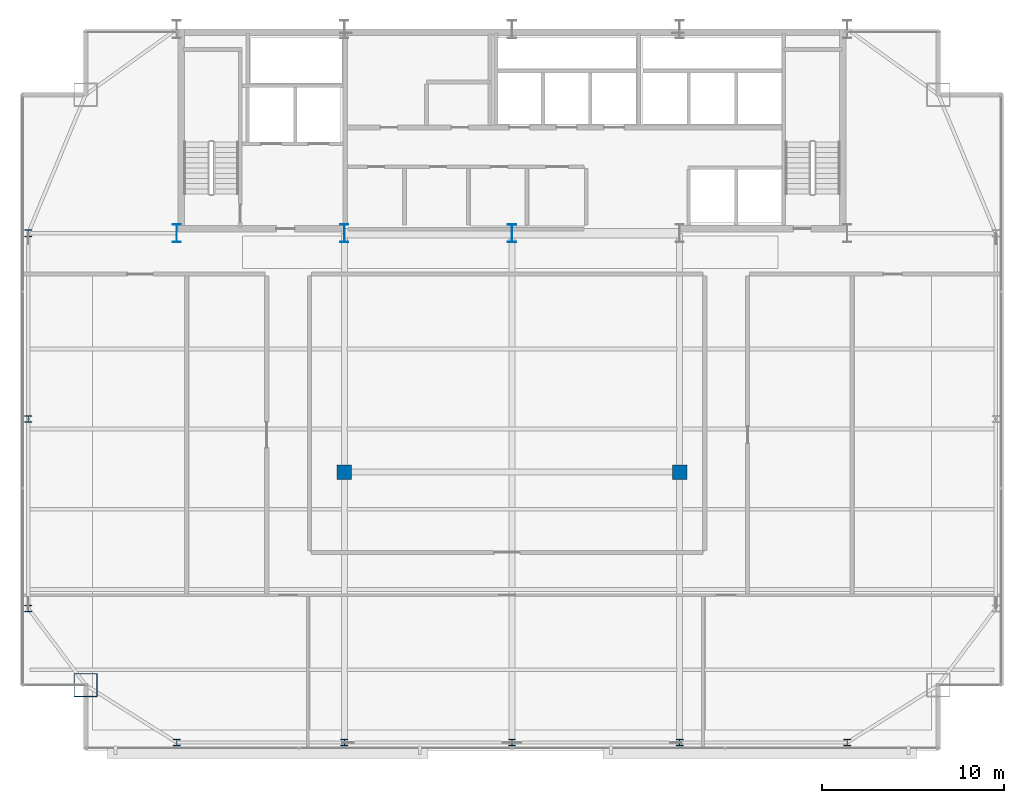
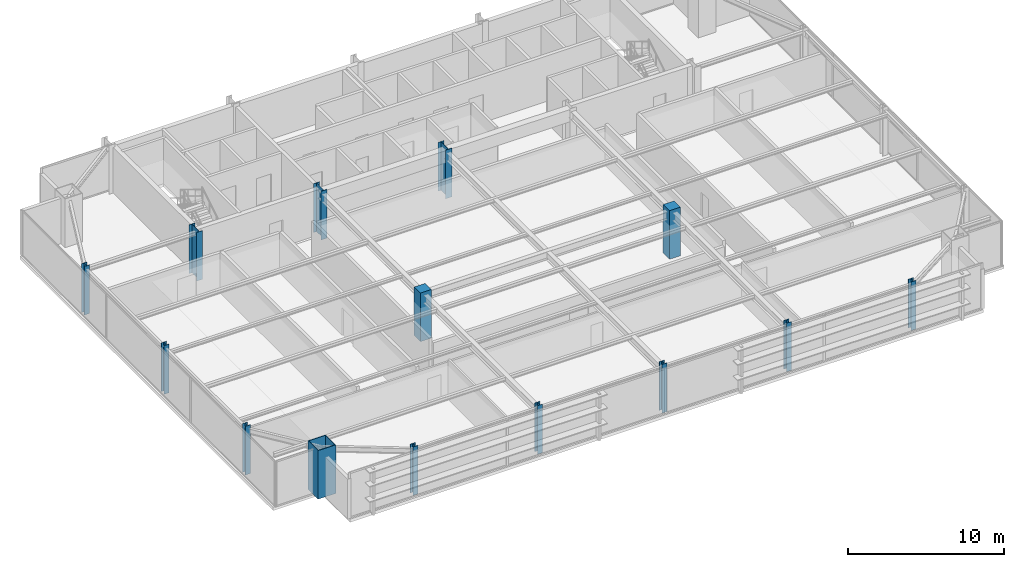
# One storey, part 1 of 29: 14 columns.
"""IFC4 building model written with IfcOpenShell, lengths in metres."""

from ifc_helpers import new_model, si_unit, direction, frame, origin, origin_2d, place, context, subcontext, project, spatial, rectangle, hollow_rectangle, i_section, extrude, source, transform, mapped, material, material_profile, profile_set, type_object, type_shapes, element, save


model = new_model("IFC4")

# Units and contexts
model_context = context("Model", 3, precision=1e-05, world=origin(), true_north=direction((0.0, 1.0)))
body_context = subcontext(model_context, "Body", "Model", "MODEL_VIEW")
ifc_project = project(units=[si_unit("LENGTHUNIT", "METRE"), si_unit("AREAUNIT", "SQUARE_METRE"), si_unit("VOLUMEUNIT", "CUBIC_METRE"), si_unit("PLANEANGLEUNIT", "RADIAN"), si_unit("MASSUNIT", "GRAM", prefix="KILO")], contexts=[model_context])

# Site, building, storey
site_placement = place(None, origin())
site = spatial("IfcSite", under=ifc_project, at=site_placement, CompositionType="ELEMENT")
building_placement = place(site_placement, origin())
building = spatial("IfcBuilding", under=site, at=building_placement, Name="Varnel Quay Broadcast Tower", CompositionType="ELEMENT")
storey_placement = place(building_placement, frame((0.0, 0.0, 172.39990234375)))
storey = spatial("IfcBuildingStorey", under=building, at=storey_placement, Name="L42", CompositionType="ELEMENT", Elevation=172.39990234375)

# Columns
ifc_material_1 = material(Name="Structural Steel CSA G40.21 350WT", Category="steel")
ifc_material_profile_1 = material_profile(ifc_material_1, i_section(OverallWidth=0.449951171875, OverallDepth=1.0, WebThickness=0.01611328125, FlangeThickness=0.030029296875, FilletRadius=0.01611328125, at=origin_2d()), Name="WWF1000X362")
ifc_profile_set_1 = profile_set([ifc_material_profile_1], Name="Structural Steel CSA G40.21 350WT")
column_type_1 = type_object("IfcColumnType", Name="Col_WWF1000X362", PredefinedType="COLUMN", material=ifc_profile_set_1)
shared_shape_1 = source(origin(), body_context, "Body", "SweptSolid", [
    extrude(i_section(OverallWidth=0.449951171875, OverallDepth=1.0, WebThickness=0.01611328125, FlangeThickness=0.030029296875, FilletRadius=0.01611328125, at=origin_2d()), origin(), (0.0, 0.0, 1.0), 3.800048828125),
])
type_shapes(column_type_1, [shared_shape_1])
for number, where, z_axis, x_axis, name in (
    (1, (15.60009765625, 35.60009765625, 0.0), (0.0, 0.0, 1.0), (1.0, 0.0, 0.0), "L42 Column CC-S1"),
    (2, (24.800048828125, 35.60009765625, 0.0), (0.0, 0.0, 1.0), (1.0, 0.0, 0.0), "L42 Column CC-S2"),
    (3, (34.0, 35.60009765625, 0.0), (0.0, 0.0, 1.0), (1.0, 0.0, 0.0), "L42 Column CC-S3"),
):
    element("IfcColumn", number, at=place(storey_placement, frame(where, z_axis=z_axis, x_axis=x_axis)), inside=storey, type_object=column_type_1, Name=name, PredefinedType="COLUMN", context=body_context, shape_type="MappedRepresentation", body=[
        mapped(shared_shape_1, transform((0.0, 0.0, 0.0), x_axis=(1.0, 0.0, 0.0), y_axis=(0.0, 1.0, 0.0), z_axis=(0.0, 0.0, 1.0), scale=1.0)),
    ])
ifc_material_profile_2 = material_profile(ifc_material_1, hollow_rectangle(XDim=1.300048828125, YDim=1.300048828125, WallThickness=0.050048828125, at=origin_2d()), Name="BOX1300X1300X50")
ifc_profile_set_2 = profile_set([ifc_material_profile_2], Name="Structural Steel CSA G40.21 350WT")
column_type_2 = type_object("IfcColumnType", Name="Col_BOX1300X1300X50", PredefinedType="COLUMN", material=ifc_profile_set_2)
shared_shape_2 = source(origin(), body_context, "Body", "SweptSolid", [
    extrude(hollow_rectangle(XDim=1.300048828125, YDim=1.300048828125, WallThickness=0.050048828125, at=origin_2d()), origin(), (0.0, 0.0, 1.0), 3.800048828125),
])
type_shapes(column_type_2, [shared_shape_2])
column_placement = place(storey_placement, frame((10.60009765625, 10.800048828125, 0.0), z_axis=(0.0, 0.0, 1.0), x_axis=(1.0, 0.0, 0.0)))
element("IfcColumn", 4, at=column_placement, inside=storey, type_object=column_type_2, Name="L42 Column MC-SW", PredefinedType="COLUMN", context=body_context, shape_type="MappedRepresentation", body=[
    mapped(shared_shape_2, transform((0.0, 0.0, 0.0), x_axis=(1.0, 0.0, 0.0), y_axis=(0.0, 1.0, 0.0), z_axis=(0.0, 0.0, 1.0), scale=1.0)),
])
ifc_material_2 = material(Name="Structural Steel CSA G40.21 350W", Category="steel")
ifc_material_profile_3 = material_profile(ifc_material_2, i_section(OverallWidth=0.3740234375, OverallDepth=0.3720703125, WebThickness=0.016357421875, FlangeThickness=0.026123046875, FilletRadius=0.01611328125, at=origin_2d()), Name="W360X196")
ifc_profile_set_3 = profile_set([ifc_material_profile_3], Name="Structural Steel CSA G40.21 350W")
column_type_3 = type_object("IfcColumnType", Name="Col_W360X196", PredefinedType="COLUMN", material=ifc_profile_set_3)
shared_shape_3 = source(origin(), body_context, "Body", "SweptSolid", [
    extrude(i_section(OverallWidth=0.3740234375, OverallDepth=0.3720703125, WebThickness=0.016357421875, FlangeThickness=0.026123046875, FilletRadius=0.01611328125, at=origin_2d()), origin(), (0.0, 0.0, 1.0), 3.800048828125),
])
type_shapes(column_type_3, [shared_shape_3])
for number, where, z_axis, x_axis, name in (
    (5, (15.60009765625, 7.64990234375, 0.0), (0.0, 0.0, 1.0), (1.0, 0.0, 0.0), "L42 Column TC-S1"),
    (6, (24.800048828125, 7.64990234375, 0.0), (0.0, 0.0, 1.0), (1.0, 0.0, 0.0), "L42 Column TC-S2"),
    (7, (34.0, 7.64990234375, 0.0), (0.0, 0.0, 1.0), (1.0, 0.0, 0.0), "L42 Column TC-S3"),
    (8, (43.199951171875, 7.64990234375, 0.0), (0.0, 0.0, 1.0), (1.0, 0.0, 0.0), "L42 Column TC-S4"),
    (9, (52.39990234375, 7.64990234375, 0.0), (0.0, 0.0, 1.0), (1.0, 0.0, 0.0), "L42 Column TC-S5"),
    (10, (7.449951171875, 15.0, 0.0), (0.0, 0.0, 1.0), (1.0, 0.0, 0.0), "L42 Column TC-W1"),
    (11, (7.449951171875, 25.39990234375, 0.0), (0.0, 0.0, 1.0), (1.0, 0.0, 0.0), "L42 Column TC-W2"),
    (12, (7.449951171875, 35.60009765625, 0.0), (0.0, 0.0, 1.0), (1.0, 0.0, 0.0), "L42 Column TC-W3"),
):
    element("IfcColumn", number, at=place(storey_placement, frame(where, z_axis=z_axis, x_axis=x_axis)), inside=storey, type_object=column_type_3, Name=name, PredefinedType="COLUMN", context=body_context, shape_type="MappedRepresentation", body=[
        mapped(shared_shape_3, transform((0.0, 0.0, 0.0), x_axis=(1.0, 0.0, 0.0), y_axis=(0.0, 1.0, 0.0), z_axis=(0.0, 0.0, 1.0), scale=1.0)),
    ])
ifc_material_3 = material(Name="Concrete CSA A23.3 C50/60", Category="concrete")
ifc_material_profile_4 = material_profile(ifc_material_3, rectangle(XDim=0.800048828125, YDim=0.800048828125, at=origin_2d()), Name="RC800X800")
ifc_profile_set_4 = profile_set([ifc_material_profile_4], Name="Concrete CSA A23.3 C50/60")
column_type_4 = type_object("IfcColumnType", Name="Col_RC800X800", PredefinedType="COLUMN", material=ifc_profile_set_4)
shared_shape_4 = source(origin(), body_context, "Body", "SweptSolid", [
    extrude(rectangle(XDim=0.800048828125, YDim=0.800048828125, at=origin_2d()), origin(), (0.0, 0.0, 1.0), 3.800048828125),
])
type_shapes(column_type_4, [shared_shape_4])
for number, where, z_axis, x_axis, name in (
    (13, (24.800048828125, 22.489990234375, 0.0), (0.0, 0.0, 1.0), (1.0, 0.0, 0.0), "L42 Column IC-01"),
    (14, (43.199951171875, 22.489990234375, 0.0), (0.0, 0.0, 1.0), (1.0, 0.0, 0.0), "L42 Column IC-02"),
):
    element("IfcColumn", number, at=place(storey_placement, frame(where, z_axis=z_axis, x_axis=x_axis)), inside=storey, type_object=column_type_4, Name=name, PredefinedType="COLUMN", context=body_context, shape_type="MappedRepresentation", body=[
        mapped(shared_shape_4, transform((0.0, 0.0, 0.0), x_axis=(1.0, 0.0, 0.0), y_axis=(0.0, 1.0, 0.0), z_axis=(0.0, 0.0, 1.0), scale=1.0)),
    ])

save(model, "model.ifc")
